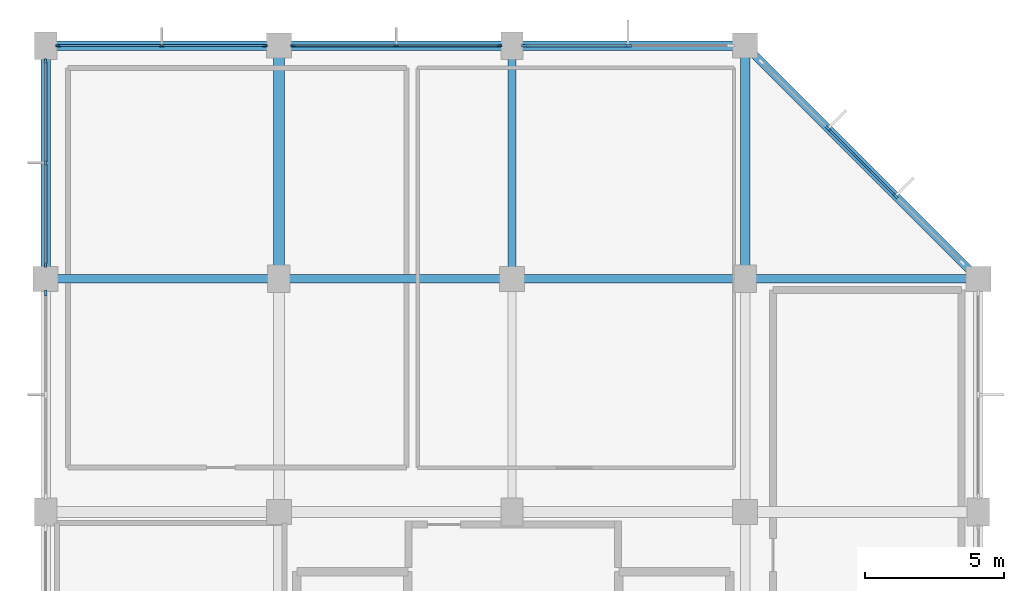
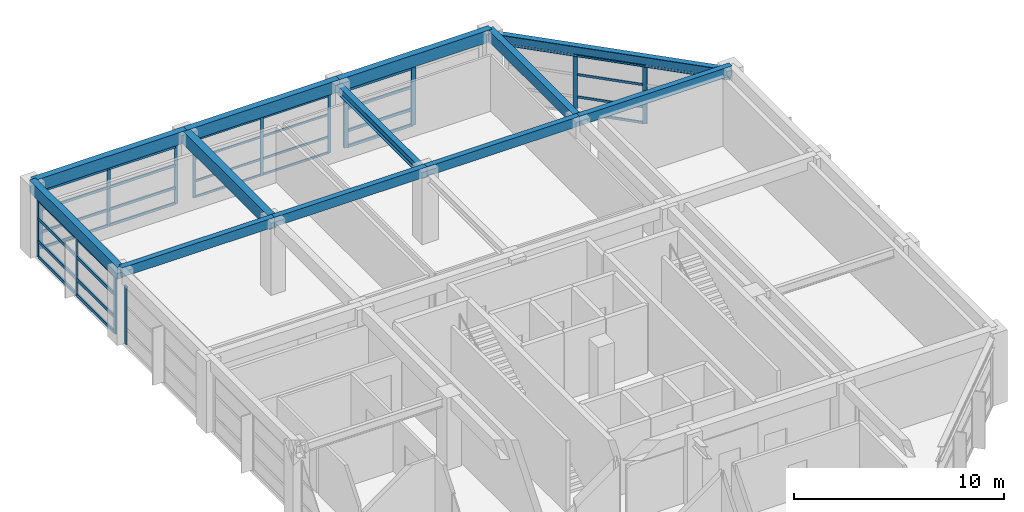
# One storey, part 6 of 12: 46 members, 12 beams, 6 elements without a shape of their own.
"""IFC4 building model written with IfcOpenShell, lengths in metres."""

from ifc_helpers import new_model, si_unit, direction, frame, origin, origin_2d, place, context, subcontext, project, spatial, rectangle, i_section, extrude, material, material_profile, profile_set, type_object, element, aggregate, save


model = new_model("IFC4")

# Units and contexts
model_context = context("Model", 3, precision=1e-05, world=origin(), true_north=direction((0.0, 1.0)))
body_context = subcontext(model_context, "Body", "Model", "MODEL_VIEW")
ifc_project = project(units=[si_unit("LENGTHUNIT", "METRE"), si_unit("AREAUNIT", "SQUARE_METRE"), si_unit("VOLUMEUNIT", "CUBIC_METRE"), si_unit("PLANEANGLEUNIT", "RADIAN"), si_unit("MASSUNIT", "GRAM", prefix="KILO")], contexts=[model_context])

# Site, building, storey
site_placement = place(None, origin())
site = spatial("IfcSite", under=ifc_project, at=site_placement, CompositionType="ELEMENT")
building_placement = place(site_placement, origin())
building = spatial("IfcBuilding", under=site, at=building_placement, Name="Xuanlan Plaza Opera House", CompositionType="ELEMENT")
storey_placement = place(building_placement, frame((0.0, 0.0, 61.5)))
storey = spatial("IfcBuildingStorey", under=building, at=storey_placement, Name="L14", CompositionType="ELEMENT", Elevation=61.5)

# Curtain wall, members
ifc_material_1 = material(Name="Anodised Aluminium 6063-T6 and Low-E Glass", Category="aluminium")
curtain_wall_type_1 = type_object("IfcCurtainWallType", Name="ENV-CW-CW-02", PredefinedType="USERDEFINED", material=ifc_material_1)
curtain_wall_1_placement = place(storey_placement, origin())
curtain_wall_1 = element("IfcCurtainWall", 1, at=curtain_wall_1_placement, inside=storey, type_object=curtain_wall_type_1, Name="Unitised Curtain Wall L14-010", ObjectType="UNITISED CURTAIN WALL", PredefinedType="USERDEFINED")
ifc_material_2 = material(Name="Anodised Aluminium 6063-T6", Category="aluminium")
ifc_material_profile_1 = material_profile(ifc_material_2, rectangle(XDim=0.06494140625, YDim=0.159912109375, at=origin_2d()), Name="ALU-M 65x160")
ifc_profile_set_1 = profile_set([ifc_material_profile_1], Name="Anodised Aluminium 6063-T6")
member_type_1 = type_object("IfcMemberType", Name="ENV-CWM-01", PredefinedType="MULLION", material=ifc_profile_set_1)
member_1_placement = place(storey_placement, frame((142.347412109375, 84.0, 0.0), z_axis=(0.0, 0.0, 1.0), x_axis=(0.0, -1.0, 0.0)))
member_1 = element("IfcMember", 2, at=member_1_placement, type_object=member_type_1, Name="CW-02 mullion 1", PredefinedType="MULLION", context=body_context, shape_type="SweptSolid", body=[
    extrude(rectangle(XDim=0.06494140625, YDim=0.159912109375, at=origin_2d()), origin(), (0.0, 0.0, 1.0), 3.3798828125),
])
member_2_placement = place(storey_placement, frame((138.625, 84.0, 0.0), z_axis=(0.0, 0.0, 1.0), x_axis=(0.0, -1.0, 0.0)))
member_2 = element("IfcMember", 3, at=member_2_placement, type_object=member_type_1, Name="CW-02 mullion 2", PredefinedType="MULLION", context=body_context, shape_type="SweptSolid", body=[
    extrude(rectangle(XDim=0.06494140625, YDim=0.159912109375, at=origin_2d()), origin(), (0.0, 0.0, 1.0), 3.3798828125),
])
member_3_placement = place(storey_placement, frame((134.902587890625, 84.0, 0.0), z_axis=(0.0, 0.0, 1.0), x_axis=(0.0, -1.0, 0.0)))
member_3 = element("IfcMember", 4, at=member_3_placement, type_object=member_type_1, Name="CW-02 mullion 3", PredefinedType="MULLION", context=body_context, shape_type="SweptSolid", body=[
    extrude(rectangle(XDim=0.06494140625, YDim=0.159912109375, at=origin_2d()), origin(), (0.0, 0.0, 1.0), 3.3798828125),
])

curtain_wall_type_2 = type_object("IfcCurtainWallType", Name="ENV-CW-CW-03", PredefinedType="USERDEFINED", material=ifc_material_1)
curtain_wall_2_placement = place(storey_placement, origin())
curtain_wall_2 = element("IfcCurtainWall", 5, at=curtain_wall_2_placement, inside=storey, type_object=curtain_wall_type_2, Name="Unitised Curtain Wall L14-011", ObjectType="UNITISED CURTAIN WALL", PredefinedType="USERDEFINED")
ifc_material_profile_2 = material_profile(ifc_material_2, rectangle(XDim=0.070068359375, YDim=0.179931640625, at=origin_2d()), Name="ALU-M 70x180")
ifc_profile_set_2 = profile_set([ifc_material_profile_2], Name="Anodised Aluminium 6063-T6")
member_type_2 = type_object("IfcMemberType", Name="ENV-CWM-02", PredefinedType="MULLION", material=ifc_profile_set_2)
member_4_placement = place(storey_placement, frame((133.89501953125, 84.0, 0.0), z_axis=(0.0, 0.0, 1.0), x_axis=(0.0, -1.0, 0.0)))
member_4 = element("IfcMember", 6, at=member_4_placement, type_object=member_type_2, Name="CW-03 mullion 1", PredefinedType="MULLION", context=body_context, shape_type="SweptSolid", body=[
    extrude(rectangle(XDim=0.070068359375, YDim=0.179931640625, at=origin_2d()), origin(), (0.0, 0.0, 1.0), 3.3798828125),
])
member_5_placement = place(storey_placement, frame((130.175048828125, 84.0, 0.0), z_axis=(0.0, 0.0, 1.0), x_axis=(0.0, -1.0, 0.0)))
member_5 = element("IfcMember", 7, at=member_5_placement, type_object=member_type_2, Name="CW-03 mullion 2", PredefinedType="MULLION", context=body_context, shape_type="SweptSolid", body=[
    extrude(rectangle(XDim=0.070068359375, YDim=0.179931640625, at=origin_2d()), origin(), (0.0, 0.0, 1.0), 3.3798828125),
])
member_6_placement = place(storey_placement, frame((126.455078125, 84.0, 0.0), z_axis=(0.0, 0.0, 1.0), x_axis=(0.0, -1.0, 0.0)))
member_6 = element("IfcMember", 8, at=member_6_placement, type_object=member_type_2, Name="CW-03 mullion 3", PredefinedType="MULLION", context=body_context, shape_type="SweptSolid", body=[
    extrude(rectangle(XDim=0.070068359375, YDim=0.179931640625, at=origin_2d()), origin(), (0.0, 0.0, 1.0), 3.3798828125),
])

curtain_wall_type_3 = type_object("IfcCurtainWallType", Name="ENV-CW-CW-04", PredefinedType="USERDEFINED", material=ifc_material_1)
curtain_wall_3_placement = place(storey_placement, origin())
curtain_wall_3 = element("IfcCurtainWall", 9, at=curtain_wall_3_placement, inside=storey, type_object=curtain_wall_type_3, Name="Unitised Curtain Wall L14-012", ObjectType="UNITISED CURTAIN WALL", PredefinedType="USERDEFINED")
ifc_material_profile_3 = material_profile(ifc_material_2, rectangle(XDim=0.074951171875, YDim=0.199951171875, at=origin_2d()), Name="ALU-M 75x200")
ifc_profile_set_3 = profile_set([ifc_material_profile_3], Name="Anodised Aluminium 6063-T6")
member_type_3 = type_object("IfcMemberType", Name="ENV-CWM-03", PredefinedType="MULLION", material=ifc_profile_set_3)
member_7_placement = place(storey_placement, frame((126.0, 83.4423828125, 0.0), z_axis=(0.0, 0.0, 1.0), x_axis=(1.0, 0.0, 0.0)))
member_7 = element("IfcMember", 10, at=member_7_placement, type_object=member_type_3, Name="CW-04 mullion 1", PredefinedType="MULLION", context=body_context, shape_type="SweptSolid", body=[
    extrude(rectangle(XDim=0.074951171875, YDim=0.199951171875, at=origin_2d()), origin(), (0.0, 0.0, 1.0), 3.3798828125),
])
member_8_placement = place(storey_placement, frame((126.0, 79.77490234375, 0.0), z_axis=(0.0, 0.0, 1.0), x_axis=(1.0, 0.0, 0.0)))
member_8 = element("IfcMember", 11, at=member_8_placement, type_object=member_type_3, Name="CW-04 mullion 2", PredefinedType="MULLION", context=body_context, shape_type="SweptSolid", body=[
    extrude(rectangle(XDim=0.074951171875, YDim=0.199951171875, at=origin_2d()), origin(), (0.0, 0.0, 1.0), 3.3798828125),
])
member_9_placement = place(storey_placement, frame((126.0, 76.107421875, 0.0), z_axis=(0.0, 0.0, 1.0), x_axis=(1.0, 0.0, 0.0)))
member_9 = element("IfcMember", 12, at=member_9_placement, type_object=member_type_3, Name="CW-04 mullion 3", PredefinedType="MULLION", context=body_context, shape_type="SweptSolid", body=[
    extrude(rectangle(XDim=0.074951171875, YDim=0.199951171875, at=origin_2d()), origin(), (0.0, 0.0, 1.0), 3.3798828125),
])

curtain_wall_4_placement = place(storey_placement, origin())
curtain_wall_4 = element("IfcCurtainWall", 13, at=curtain_wall_4_placement, inside=storey, type_object=curtain_wall_type_3, Name="Unitised Curtain Wall L14-008", ObjectType="UNITISED CURTAIN WALL", PredefinedType="USERDEFINED")
ifc_material_profile_4 = material_profile(ifc_material_2, rectangle(XDim=0.080078125, YDim=0.219970703125, at=origin_2d()), Name="ALU-M 80x220")
ifc_profile_set_4 = profile_set([ifc_material_profile_4], Name="Anodised Aluminium 6063-T6")
member_type_4 = type_object("IfcMemberType", Name="ENV-CWM-04", PredefinedType="MULLION", material=ifc_profile_set_4)
member_10_placement = place(storey_placement, frame((156.616943359375, 78.5830078125, 0.0), z_axis=(0.0, 0.0, 1.0), x_axis=(-0.707106781187, -0.707106781187, 0.0)))
member_10 = element("IfcMember", 14, at=member_10_placement, type_object=member_type_4, Name="CW-04 mullion 2", PredefinedType="MULLION", context=body_context, shape_type="SweptSolid", body=[
    extrude(rectangle(XDim=0.080078125, YDim=0.219970703125, at=origin_2d()), origin(), (0.0, 0.0, 1.0), 3.3798828125),
])
member_11_placement = place(storey_placement, frame((154.18310546875, 81.01708984375, 0.0), z_axis=(0.0, 0.0, 1.0), x_axis=(-0.707106781187, -0.707106781187, 0.0)))
member_11 = element("IfcMember", 15, at=member_11_placement, type_object=member_type_4, Name="CW-04 mullion 3", PredefinedType="MULLION", context=body_context, shape_type="SweptSolid", body=[
    extrude(rectangle(XDim=0.080078125, YDim=0.219970703125, at=origin_2d()), origin(), (0.0, 0.0, 1.0), 3.3798828125),
])

# Curtain wall, member
curtain_wall_type_4 = type_object("IfcCurtainWallType", Name="ENV-CW-CW-01", PredefinedType="USERDEFINED", material=ifc_material_1)
curtain_wall_5_placement = place(storey_placement, origin())
curtain_wall_5 = element("IfcCurtainWall", 16, at=curtain_wall_5_placement, inside=storey, type_object=curtain_wall_type_4, Name="Unitised Curtain Wall L14-013", ObjectType="UNITISED CURTAIN WALL", PredefinedType="USERDEFINED")
member_12_placement = place(storey_placement, frame((126.0, 75.090087890625, 0.0), z_axis=(0.0, 0.0, 1.0), x_axis=(1.0, 0.0, 0.0)))
member_12 = element("IfcMember", 17, at=member_12_placement, type_object=member_type_4, Name="CW-01 mullion 1", PredefinedType="MULLION", context=body_context, shape_type="SweptSolid", body=[
    extrude(rectangle(XDim=0.080078125, YDim=0.219970703125, at=origin_2d()), origin(), (0.0, 0.0, 1.0), 3.3798828125),
])
aggregate(curtain_wall_5, [member_12])

# Curtain wall, members
curtain_wall_6_placement = place(storey_placement, origin())
curtain_wall_6 = element("IfcCurtainWall", 18, at=curtain_wall_6_placement, inside=storey, type_object=curtain_wall_type_4, Name="Unitised Curtain Wall L14-009", ObjectType="UNITISED CURTAIN WALL", PredefinedType="USERDEFINED")
ifc_material_profile_5 = material_profile(ifc_material_2, rectangle(XDim=0.090087890625, YDim=0.25, at=origin_2d()), Name="ALU-M 90x250")
ifc_profile_set_5 = profile_set([ifc_material_profile_5], Name="Anodised Aluminium 6063-T6")
member_type_5 = type_object("IfcMemberType", Name="ENV-CWM-05", PredefinedType="MULLION", material=ifc_profile_set_5)
member_13_placement = place(storey_placement, frame((146.97509765625, 84.0, 0.0), z_axis=(0.0, 0.0, 1.0), x_axis=(0.0, -1.0, 0.0)))
member_13 = element("IfcMember", 19, at=member_13_placement, type_object=member_type_5, Name="CW-01 mullion 2", PredefinedType="MULLION", context=body_context, shape_type="SweptSolid", body=[
    extrude(rectangle(XDim=0.090087890625, YDim=0.25, at=origin_2d()), origin(), (0.0, 0.0, 1.0), 3.3798828125),
])
member_14_placement = place(storey_placement, frame((143.264892578125, 84.0, 0.0), z_axis=(0.0, 0.0, 1.0), x_axis=(0.0, -1.0, 0.0)))
member_14 = element("IfcMember", 20, at=member_14_placement, type_object=member_type_5, Name="CW-01 mullion 3", PredefinedType="MULLION", context=body_context, shape_type="SweptSolid", body=[
    extrude(rectangle(XDim=0.090087890625, YDim=0.25, at=origin_2d()), origin(), (0.0, 0.0, 1.0), 3.3798828125),
])

# Member
ifc_material_profile_6 = material_profile(ifc_material_2, rectangle(XDim=0.06494140625, YDim=0.1201171875, at=origin_2d()), Name="ALU-T 65x120")
ifc_profile_set_6 = profile_set([ifc_material_profile_6], Name="Anodised Aluminium 6063-T6")
member_type_6 = type_object("IfcMemberType", Name="ENV-CWT-01", PredefinedType="USERDEFINED", material=ifc_profile_set_6)
member_15_placement = place(storey_placement, frame((142.31494140625, 84.0, 0.032470703125), z_axis=(-1.0, 0.0, 0.0), x_axis=(0.0, -1.0, 0.0)))
member_15 = element("IfcMember", 21, at=member_15_placement, type_object=member_type_6, Name="CW-02 transom 1.1", ObjectType="TRANSOM", PredefinedType="USERDEFINED", context=body_context, shape_type="SweptSolid", body=[
    extrude(rectangle(XDim=0.06494140625, YDim=0.1201171875, at=origin_2d()), origin(), (0.0, 0.0, 1.0), 3.657470703125),
])

member_16_placement = place(storey_placement, frame((142.31494140625, 84.0, 0.949951171875), z_axis=(-1.0, 0.0, 0.0), x_axis=(0.0, -1.0, 0.0)))
member_16 = element("IfcMember", 22, at=member_16_placement, type_object=member_type_6, Name="CW-02 transom 1.2", ObjectType="TRANSOM", PredefinedType="USERDEFINED", context=body_context, shape_type="SweptSolid", body=[
    extrude(rectangle(XDim=0.06494140625, YDim=0.1201171875, at=origin_2d()), origin(), (0.0, 0.0, 1.0), 3.657470703125),
])

member_17_placement = place(storey_placement, frame((142.31494140625, 84.0, 2.25), z_axis=(-1.0, 0.0, 0.0), x_axis=(0.0, -1.0, 0.0)))
member_17 = element("IfcMember", 23, at=member_17_placement, type_object=member_type_6, Name="CW-02 transom 1.3", ObjectType="TRANSOM", PredefinedType="USERDEFINED", context=body_context, shape_type="SweptSolid", body=[
    extrude(rectangle(XDim=0.06494140625, YDim=0.1201171875, at=origin_2d()), origin(), (0.0, 0.0, 1.0), 3.657470703125),
])

member_18_placement = place(storey_placement, frame((142.31494140625, 84.0, 3.347412109375), z_axis=(-1.0, 0.0, 0.0), x_axis=(0.0, -1.0, 0.0)))
member_18 = element("IfcMember", 24, at=member_18_placement, type_object=member_type_6, Name="CW-02 transom 1.4", ObjectType="TRANSOM", PredefinedType="USERDEFINED", context=body_context, shape_type="SweptSolid", body=[
    extrude(rectangle(XDim=0.06494140625, YDim=0.1201171875, at=origin_2d()), origin(), (0.0, 0.0, 1.0), 3.657470703125),
])

member_19_placement = place(storey_placement, frame((138.592529296875, 84.0, 0.032470703125), z_axis=(-1.0, 0.0, 0.0), x_axis=(0.0, -1.0, 0.0)))
member_19 = element("IfcMember", 25, at=member_19_placement, type_object=member_type_6, Name="CW-02 transom 2.1", ObjectType="TRANSOM", PredefinedType="USERDEFINED", context=body_context, shape_type="SweptSolid", body=[
    extrude(rectangle(XDim=0.06494140625, YDim=0.1201171875, at=origin_2d()), origin(), (0.0, 0.0, 1.0), 3.657470703125),
])

member_20_placement = place(storey_placement, frame((138.592529296875, 84.0, 0.949951171875), z_axis=(-1.0, 0.0, 0.0), x_axis=(0.0, -1.0, 0.0)))
member_20 = element("IfcMember", 26, at=member_20_placement, type_object=member_type_6, Name="CW-02 transom 2.2", ObjectType="TRANSOM", PredefinedType="USERDEFINED", context=body_context, shape_type="SweptSolid", body=[
    extrude(rectangle(XDim=0.06494140625, YDim=0.1201171875, at=origin_2d()), origin(), (0.0, 0.0, 1.0), 3.657470703125),
])

member_21_placement = place(storey_placement, frame((138.592529296875, 84.0, 2.25), z_axis=(-1.0, 0.0, 0.0), x_axis=(0.0, -1.0, 0.0)))
member_21 = element("IfcMember", 27, at=member_21_placement, type_object=member_type_6, Name="CW-02 transom 2.3", ObjectType="TRANSOM", PredefinedType="USERDEFINED", context=body_context, shape_type="SweptSolid", body=[
    extrude(rectangle(XDim=0.06494140625, YDim=0.1201171875, at=origin_2d()), origin(), (0.0, 0.0, 1.0), 3.657470703125),
])

member_22_placement = place(storey_placement, frame((138.592529296875, 84.0, 3.347412109375), z_axis=(-1.0, 0.0, 0.0), x_axis=(0.0, -1.0, 0.0)))
member_22 = element("IfcMember", 28, at=member_22_placement, type_object=member_type_6, Name="CW-02 transom 2.4", ObjectType="TRANSOM", PredefinedType="USERDEFINED", context=body_context, shape_type="SweptSolid", body=[
    extrude(rectangle(XDim=0.06494140625, YDim=0.1201171875, at=origin_2d()), origin(), (0.0, 0.0, 1.0), 3.657470703125),
])

aggregate(curtain_wall_1, [member_1, member_2, member_3, member_15, member_16, member_17, member_18, member_19, member_20, member_21, member_22])

ifc_material_profile_7 = material_profile(ifc_material_2, rectangle(XDim=0.070068359375, YDim=0.135009765625, at=origin_2d()), Name="ALU-T 70x135")
ifc_profile_set_7 = profile_set([ifc_material_profile_7], Name="Anodised Aluminium 6063-T6")
member_type_7 = type_object("IfcMemberType", Name="ENV-CWT-02", PredefinedType="USERDEFINED", material=ifc_profile_set_7)
member_23_placement = place(storey_placement, frame((156.588623046875, 78.611328125, 0.034912109375), z_axis=(-0.707106781187, 0.707106781187, 0.0), x_axis=(-0.707106781187, -0.707106781187, 0.0)))
member_23 = element("IfcMember", 29, at=member_23_placement, type_object=member_type_7, Name="CW-04 transom 2.1", ObjectType="TRANSOM", PredefinedType="USERDEFINED", context=body_context, shape_type="SweptSolid", body=[
    extrude(rectangle(XDim=0.070068359375, YDim=0.135009765625, at=origin_2d()), origin(), (0.0, 0.0, 1.0), 3.3623046875),
])

member_24_placement = place(storey_placement, frame((156.588623046875, 78.611328125, 0.949951171875), z_axis=(-0.707106781187, 0.707106781187, 0.0), x_axis=(-0.707106781187, -0.707106781187, 0.0)))
member_24 = element("IfcMember", 30, at=member_24_placement, type_object=member_type_7, Name="CW-04 transom 2.2", ObjectType="TRANSOM", PredefinedType="USERDEFINED", context=body_context, shape_type="SweptSolid", body=[
    extrude(rectangle(XDim=0.070068359375, YDim=0.135009765625, at=origin_2d()), origin(), (0.0, 0.0, 1.0), 3.3623046875),
])

member_25_placement = place(storey_placement, frame((156.588623046875, 78.611328125, 2.25), z_axis=(-0.707106781187, 0.707106781187, 0.0), x_axis=(-0.707106781187, -0.707106781187, 0.0)))
member_25 = element("IfcMember", 31, at=member_25_placement, type_object=member_type_7, Name="CW-04 transom 2.3", ObjectType="TRANSOM", PredefinedType="USERDEFINED", context=body_context, shape_type="SweptSolid", body=[
    extrude(rectangle(XDim=0.070068359375, YDim=0.135009765625, at=origin_2d()), origin(), (0.0, 0.0, 1.0), 3.3623046875),
])

member_26_placement = place(storey_placement, frame((156.588623046875, 78.611328125, 3.344970703125), z_axis=(-0.707106781187, 0.707106781187, 0.0), x_axis=(-0.707106781187, -0.707106781187, 0.0)))
member_26 = element("IfcMember", 32, at=member_26_placement, type_object=member_type_7, Name="CW-04 transom 2.4", ObjectType="TRANSOM", PredefinedType="USERDEFINED", context=body_context, shape_type="SweptSolid", body=[
    extrude(rectangle(XDim=0.070068359375, YDim=0.135009765625, at=origin_2d()), origin(), (0.0, 0.0, 1.0), 3.3623046875),
])

aggregate(curtain_wall_4, [member_10, member_11, member_23, member_24, member_25, member_26])

ifc_material_profile_8 = material_profile(ifc_material_2, rectangle(XDim=0.074951171875, YDim=0.14990234375, at=origin_2d()), Name="ALU-T 75x150")
ifc_profile_set_8 = profile_set([ifc_material_profile_8], Name="Anodised Aluminium 6063-T6")
member_type_8 = type_object("IfcMemberType", Name="ENV-CWT-03", PredefinedType="USERDEFINED", material=ifc_profile_set_8)
member_27_placement = place(storey_placement, frame((133.860107421875, 84.0, 0.03759765625), z_axis=(-1.0, 0.0, 0.0), x_axis=(0.0, -1.0, 0.0)))
member_27 = element("IfcMember", 33, at=member_27_placement, type_object=member_type_8, Name="CW-03 transom 1.1", ObjectType="TRANSOM", PredefinedType="USERDEFINED", context=body_context, shape_type="SweptSolid", body=[
    extrude(rectangle(XDim=0.074951171875, YDim=0.14990234375, at=origin_2d()), origin(), (0.0, 0.0, 1.0), 3.650146484375),
])

member_28_placement = place(storey_placement, frame((133.860107421875, 84.0, 0.949951171875), z_axis=(-1.0, 0.0, 0.0), x_axis=(0.0, -1.0, 0.0)))
member_28 = element("IfcMember", 34, at=member_28_placement, type_object=member_type_8, Name="CW-03 transom 1.2", ObjectType="TRANSOM", PredefinedType="USERDEFINED", context=body_context, shape_type="SweptSolid", body=[
    extrude(rectangle(XDim=0.074951171875, YDim=0.14990234375, at=origin_2d()), origin(), (0.0, 0.0, 1.0), 3.650146484375),
])

member_29_placement = place(storey_placement, frame((133.860107421875, 84.0, 2.25), z_axis=(-1.0, 0.0, 0.0), x_axis=(0.0, -1.0, 0.0)))
member_29 = element("IfcMember", 35, at=member_29_placement, type_object=member_type_8, Name="CW-03 transom 1.3", ObjectType="TRANSOM", PredefinedType="USERDEFINED", context=body_context, shape_type="SweptSolid", body=[
    extrude(rectangle(XDim=0.074951171875, YDim=0.14990234375, at=origin_2d()), origin(), (0.0, 0.0, 1.0), 3.650146484375),
])

member_30_placement = place(storey_placement, frame((133.860107421875, 84.0, 3.342529296875), z_axis=(-1.0, 0.0, 0.0), x_axis=(0.0, -1.0, 0.0)))
member_30 = element("IfcMember", 36, at=member_30_placement, type_object=member_type_8, Name="CW-03 transom 1.4", ObjectType="TRANSOM", PredefinedType="USERDEFINED", context=body_context, shape_type="SweptSolid", body=[
    extrude(rectangle(XDim=0.074951171875, YDim=0.14990234375, at=origin_2d()), origin(), (0.0, 0.0, 1.0), 3.650146484375),
])

member_31_placement = place(storey_placement, frame((130.139892578125, 84.0, 0.03759765625), z_axis=(-1.0, 0.0, 0.0), x_axis=(0.0, -1.0, 0.0)))
member_31 = element("IfcMember", 37, at=member_31_placement, type_object=member_type_8, Name="CW-03 transom 2.1", ObjectType="TRANSOM", PredefinedType="USERDEFINED", context=body_context, shape_type="SweptSolid", body=[
    extrude(rectangle(XDim=0.074951171875, YDim=0.14990234375, at=origin_2d()), origin(), (0.0, 0.0, 1.0), 3.64990234375),
])

member_32_placement = place(storey_placement, frame((130.139892578125, 84.0, 0.949951171875), z_axis=(-1.0, 0.0, 0.0), x_axis=(0.0, -1.0, 0.0)))
member_32 = element("IfcMember", 38, at=member_32_placement, type_object=member_type_8, Name="CW-03 transom 2.2", ObjectType="TRANSOM", PredefinedType="USERDEFINED", context=body_context, shape_type="SweptSolid", body=[
    extrude(rectangle(XDim=0.074951171875, YDim=0.14990234375, at=origin_2d()), origin(), (0.0, 0.0, 1.0), 3.64990234375),
])

member_33_placement = place(storey_placement, frame((130.139892578125, 84.0, 2.25), z_axis=(-1.0, 0.0, 0.0), x_axis=(0.0, -1.0, 0.0)))
member_33 = element("IfcMember", 39, at=member_33_placement, type_object=member_type_8, Name="CW-03 transom 2.3", ObjectType="TRANSOM", PredefinedType="USERDEFINED", context=body_context, shape_type="SweptSolid", body=[
    extrude(rectangle(XDim=0.074951171875, YDim=0.14990234375, at=origin_2d()), origin(), (0.0, 0.0, 1.0), 3.64990234375),
])

member_34_placement = place(storey_placement, frame((130.139892578125, 84.0, 3.342529296875), z_axis=(-1.0, 0.0, 0.0), x_axis=(0.0, -1.0, 0.0)))
member_34 = element("IfcMember", 40, at=member_34_placement, type_object=member_type_8, Name="CW-03 transom 2.4", ObjectType="TRANSOM", PredefinedType="USERDEFINED", context=body_context, shape_type="SweptSolid", body=[
    extrude(rectangle(XDim=0.074951171875, YDim=0.14990234375, at=origin_2d()), origin(), (0.0, 0.0, 1.0), 3.64990234375),
])

aggregate(curtain_wall_2, [member_4, member_5, member_6, member_27, member_28, member_29, member_30, member_31, member_32, member_33, member_34])

ifc_material_profile_9 = material_profile(ifc_material_2, rectangle(XDim=0.080078125, YDim=0.1650390625, at=origin_2d()), Name="ALU-T 80x165")
ifc_profile_set_9 = profile_set([ifc_material_profile_9], Name="Anodised Aluminium 6063-T6")
member_type_9 = type_object("IfcMemberType", Name="ENV-CWT-04", PredefinedType="USERDEFINED", material=ifc_profile_set_9)
member_35_placement = place(storey_placement, frame((146.929931640625, 84.0, 0.0400390625), z_axis=(-1.0, 0.0, 0.0), x_axis=(0.0, -1.0, 0.0)))
member_35 = element("IfcMember", 41, at=member_35_placement, type_object=member_type_9, Name="CW-01 transom 2.1", ObjectType="TRANSOM", PredefinedType="USERDEFINED", context=body_context, shape_type="SweptSolid", body=[
    extrude(rectangle(XDim=0.080078125, YDim=0.1650390625, at=origin_2d()), origin(), (0.0, 0.0, 1.0), 3.619873046875),
])

member_36_placement = place(storey_placement, frame((146.929931640625, 84.0, 0.949951171875), z_axis=(-1.0, 0.0, 0.0), x_axis=(0.0, -1.0, 0.0)))
member_36 = element("IfcMember", 42, at=member_36_placement, type_object=member_type_9, Name="CW-01 transom 2.2", ObjectType="TRANSOM", PredefinedType="USERDEFINED", context=body_context, shape_type="SweptSolid", body=[
    extrude(rectangle(XDim=0.080078125, YDim=0.1650390625, at=origin_2d()), origin(), (0.0, 0.0, 1.0), 3.619873046875),
])

member_37_placement = place(storey_placement, frame((146.929931640625, 84.0, 2.25), z_axis=(-1.0, 0.0, 0.0), x_axis=(0.0, -1.0, 0.0)))
member_37 = element("IfcMember", 43, at=member_37_placement, type_object=member_type_9, Name="CW-01 transom 2.3", ObjectType="TRANSOM", PredefinedType="USERDEFINED", context=body_context, shape_type="SweptSolid", body=[
    extrude(rectangle(XDim=0.080078125, YDim=0.1650390625, at=origin_2d()), origin(), (0.0, 0.0, 1.0), 3.619873046875),
])

member_38_placement = place(storey_placement, frame((146.929931640625, 84.0, 3.340087890625), z_axis=(-1.0, 0.0, 0.0), x_axis=(0.0, -1.0, 0.0)))
member_38 = element("IfcMember", 44, at=member_38_placement, type_object=member_type_9, Name="CW-01 transom 2.4", ObjectType="TRANSOM", PredefinedType="USERDEFINED", context=body_context, shape_type="SweptSolid", body=[
    extrude(rectangle(XDim=0.080078125, YDim=0.1650390625, at=origin_2d()), origin(), (0.0, 0.0, 1.0), 3.619873046875),
])

aggregate(curtain_wall_6, [member_13, member_14, member_35, member_36, member_37, member_38])

ifc_material_profile_10 = material_profile(ifc_material_2, rectangle(XDim=0.090087890625, YDim=0.179931640625, at=origin_2d()), Name="ALU-T 90x180")
ifc_profile_set_10 = profile_set([ifc_material_profile_10], Name="Anodised Aluminium 6063-T6")
member_type_10 = type_object("IfcMemberType", Name="ENV-CWT-05", PredefinedType="USERDEFINED", material=ifc_profile_set_10)
member_39_placement = place(storey_placement, frame((126.0, 83.405029296875, 0.044921875), z_axis=(0.0, -1.0, 0.0), x_axis=(1.0, 0.0, 0.0)))
member_39 = element("IfcMember", 45, at=member_39_placement, type_object=member_type_10, Name="CW-04 transom 1.1", ObjectType="TRANSOM", PredefinedType="USERDEFINED", context=body_context, shape_type="SweptSolid", body=[
    extrude(rectangle(XDim=0.090087890625, YDim=0.179931640625, at=origin_2d()), origin(), (0.0, 0.0, 1.0), 3.592529296875),
])

member_40_placement = place(storey_placement, frame((126.0, 83.405029296875, 0.949951171875), z_axis=(0.0, -1.0, 0.0), x_axis=(1.0, 0.0, 0.0)))
member_40 = element("IfcMember", 46, at=member_40_placement, type_object=member_type_10, Name="CW-04 transom 1.2", ObjectType="TRANSOM", PredefinedType="USERDEFINED", context=body_context, shape_type="SweptSolid", body=[
    extrude(rectangle(XDim=0.090087890625, YDim=0.179931640625, at=origin_2d()), origin(), (0.0, 0.0, 1.0), 3.592529296875),
])

member_41_placement = place(storey_placement, frame((126.0, 83.405029296875, 2.25), z_axis=(0.0, -1.0, 0.0), x_axis=(1.0, 0.0, 0.0)))
member_41 = element("IfcMember", 47, at=member_41_placement, type_object=member_type_10, Name="CW-04 transom 1.3", ObjectType="TRANSOM", PredefinedType="USERDEFINED", context=body_context, shape_type="SweptSolid", body=[
    extrude(rectangle(XDim=0.090087890625, YDim=0.179931640625, at=origin_2d()), origin(), (0.0, 0.0, 1.0), 3.592529296875),
])

member_42_placement = place(storey_placement, frame((126.0, 83.405029296875, 3.3349609375), z_axis=(0.0, -1.0, 0.0), x_axis=(1.0, 0.0, 0.0)))
member_42 = element("IfcMember", 48, at=member_42_placement, type_object=member_type_10, Name="CW-04 transom 1.4", ObjectType="TRANSOM", PredefinedType="USERDEFINED", context=body_context, shape_type="SweptSolid", body=[
    extrude(rectangle(XDim=0.090087890625, YDim=0.179931640625, at=origin_2d()), origin(), (0.0, 0.0, 1.0), 3.592529296875),
])

member_43_placement = place(storey_placement, frame((126.0, 79.737548828125, 0.044921875), z_axis=(0.0, -1.0, 0.0), x_axis=(1.0, 0.0, 0.0)))
member_43 = element("IfcMember", 49, at=member_43_placement, type_object=member_type_10, Name="CW-04 transom 2.1", ObjectType="TRANSOM", PredefinedType="USERDEFINED", context=body_context, shape_type="SweptSolid", body=[
    extrude(rectangle(XDim=0.090087890625, YDim=0.179931640625, at=origin_2d()), origin(), (0.0, 0.0, 1.0), 3.592529296875),
])

member_44_placement = place(storey_placement, frame((126.0, 79.737548828125, 0.949951171875), z_axis=(0.0, -1.0, 0.0), x_axis=(1.0, 0.0, 0.0)))
member_44 = element("IfcMember", 50, at=member_44_placement, type_object=member_type_10, Name="CW-04 transom 2.2", ObjectType="TRANSOM", PredefinedType="USERDEFINED", context=body_context, shape_type="SweptSolid", body=[
    extrude(rectangle(XDim=0.090087890625, YDim=0.179931640625, at=origin_2d()), origin(), (0.0, 0.0, 1.0), 3.592529296875),
])

member_45_placement = place(storey_placement, frame((126.0, 79.737548828125, 2.25), z_axis=(0.0, -1.0, 0.0), x_axis=(1.0, 0.0, 0.0)))
member_45 = element("IfcMember", 51, at=member_45_placement, type_object=member_type_10, Name="CW-04 transom 2.3", ObjectType="TRANSOM", PredefinedType="USERDEFINED", context=body_context, shape_type="SweptSolid", body=[
    extrude(rectangle(XDim=0.090087890625, YDim=0.179931640625, at=origin_2d()), origin(), (0.0, 0.0, 1.0), 3.592529296875),
])

member_46_placement = place(storey_placement, frame((126.0, 79.737548828125, 3.3349609375), z_axis=(0.0, -1.0, 0.0), x_axis=(1.0, 0.0, 0.0)))
member_46 = element("IfcMember", 52, at=member_46_placement, type_object=member_type_10, Name="CW-04 transom 2.4", ObjectType="TRANSOM", PredefinedType="USERDEFINED", context=body_context, shape_type="SweptSolid", body=[
    extrude(rectangle(XDim=0.090087890625, YDim=0.179931640625, at=origin_2d()), origin(), (0.0, 0.0, 1.0), 3.592529296875),
])

aggregate(curtain_wall_3, [member_7, member_8, member_9, member_39, member_40, member_41, member_42, member_43, member_44, member_45, member_46])

# Beams
ifc_material_3 = material(Name="Concrete C40", Category="concrete")
ifc_material_profile_11 = material_profile(ifc_material_3, rectangle(XDim=0.39990234375, YDim=0.75, at=origin_2d()), Name="RC-BM 400x750")
ifc_profile_set_11 = profile_set([ifc_material_profile_11], Name="Concrete C40")
beam_type_1 = type_object("IfcBeamType", Name="STR-BM-B-06", PredefinedType="BEAM", material=ifc_profile_set_11)
beam_1_placement = place(storey_placement, frame((134.39990234375, 75.60009765625, 3.824951171875), z_axis=(0.0, 1.0, 0.0), x_axis=(-1.0, 0.0, 0.0)))
element("IfcBeam", 53, at=beam_1_placement, inside=storey, type_object=beam_type_1, Name="Grid Beam Y L14 17/J-K", PredefinedType="BEAM", context=body_context, shape_type="SweptSolid", body=[
    extrude(rectangle(XDim=0.39990234375, YDim=0.75, at=origin_2d()), origin(), (0.0, 0.0, 1.0), 8.39990234375),
])
ifc_material_profile_12 = material_profile(ifc_material_3, rectangle(XDim=0.35009765625, YDim=0.64990234375, at=origin_2d()), Name="RC-BM 350x650")
ifc_profile_set_12 = profile_set([ifc_material_profile_12], Name="Concrete C40")
beam_type_2 = type_object("IfcBeamType", Name="STR-BM-B-08", PredefinedType="BEAM", material=ifc_profile_set_12)
beam_2_placement = place(storey_placement, frame((151.199951171875, 75.60009765625, 3.875), z_axis=(0.0, 1.0, 0.0), x_axis=(-1.0, 0.0, 0.0)))
element("IfcBeam", 54, at=beam_2_placement, inside=storey, type_object=beam_type_2, Name="Grid Beam Y L14 19/J-K", PredefinedType="BEAM", context=body_context, shape_type="SweptSolid", body=[
    extrude(rectangle(XDim=0.35009765625, YDim=0.64990234375, at=origin_2d()), origin(), (0.0, 0.0, 1.0), 8.39990234375),
])
ifc_material_profile_13 = material_profile(ifc_material_3, rectangle(XDim=0.300048828125, YDim=0.550048828125, at=origin_2d()), Name="RC-BM 300x550")
ifc_profile_set_13 = profile_set([ifc_material_profile_13], Name="Concrete C40")
beam_type_3 = type_object("IfcBeamType", Name="STR-BM-B-09", PredefinedType="BEAM", material=ifc_profile_set_13)
beam_3_placement = place(storey_placement, frame((126.0, 75.60009765625, 3.925048828125), z_axis=(1.0, 0.0, 0.0), x_axis=(0.0, 1.0, 0.0)))
element("IfcBeam", 55, at=beam_3_placement, inside=storey, type_object=beam_type_3, Name="Grid Beam X L14 16-17/J", PredefinedType="BEAM", context=body_context, shape_type="SweptSolid", body=[
    extrude(rectangle(XDim=0.300048828125, YDim=0.550048828125, at=origin_2d()), origin(), (0.0, 0.0, 1.0), 8.39990234375),
])
beam_4_placement = place(storey_placement, frame((134.39990234375, 75.60009765625, 3.925048828125), z_axis=(1.0, 0.0, 0.0), x_axis=(0.0, 1.0, 0.0)))
element("IfcBeam", 56, at=beam_4_placement, inside=storey, type_object=beam_type_3, Name="Grid Beam X L14 17-18/J", PredefinedType="BEAM", context=body_context, shape_type="SweptSolid", body=[
    extrude(rectangle(XDim=0.300048828125, YDim=0.550048828125, at=origin_2d()), origin(), (0.0, 0.0, 1.0), 8.400146484375),
])
beam_5_placement = place(storey_placement, frame((142.800048828125, 75.60009765625, 3.925048828125), z_axis=(1.0, 0.0, 0.0), x_axis=(0.0, 1.0, 0.0)))
element("IfcBeam", 57, at=beam_5_placement, inside=storey, type_object=beam_type_3, Name="Grid Beam X L14 18-19/J", PredefinedType="BEAM", context=body_context, shape_type="SweptSolid", body=[
    extrude(rectangle(XDim=0.300048828125, YDim=0.550048828125, at=origin_2d()), origin(), (0.0, 0.0, 1.0), 8.39990234375),
])
beam_6_placement = place(storey_placement, frame((151.199951171875, 75.60009765625, 3.925048828125), z_axis=(1.0, 0.0, 0.0), x_axis=(0.0, 1.0, 0.0)))
element("IfcBeam", 58, at=beam_6_placement, inside=storey, type_object=beam_type_3, Name="Grid Beam X L14 19-20/J", PredefinedType="BEAM", context=body_context, shape_type="SweptSolid", body=[
    extrude(rectangle(XDim=0.300048828125, YDim=0.550048828125, at=origin_2d()), origin(), (0.0, 0.0, 1.0), 8.400146484375),
])
ifc_material_4 = material(Name="Steel Q355B", Category="steel")
ifc_material_profile_14 = material_profile(ifc_material_4, i_section(OverallWidth=0.300048828125, OverallDepth=0.488037109375, WebThickness=0.010986328125, FlangeThickness=0.01806640625, FilletRadius=0.02197265625, at=origin_2d()), Name="HM 488x300x11x18")
ifc_profile_set_14 = profile_set([ifc_material_profile_14], Name="Steel Q355B")
beam_type_4 = type_object("IfcBeamType", Name="STR-BM-SB-07", PredefinedType="BEAM", material=ifc_profile_set_14)
beam_7_placement = place(storey_placement, frame((142.800048828125, 75.60009765625, 3.7109375), z_axis=(0.0, 1.0, 0.0), x_axis=(-1.0, 0.0, 0.0)))
element("IfcBeam", 59, at=beam_7_placement, inside=storey, type_object=beam_type_4, Name="Grid Beam Y L14 18/J-K", PredefinedType="BEAM", context=body_context, shape_type="SweptSolid", body=[
    extrude(i_section(OverallWidth=0.300048828125, OverallDepth=0.488037109375, WebThickness=0.010986328125, FlangeThickness=0.01806640625, FilletRadius=0.02197265625, at=origin_2d()), origin(), (0.0, 0.0, 1.0), 8.39990234375),
])
ifc_material_profile_15 = material_profile(ifc_material_3, rectangle(XDim=0.35009765625, YDim=0.699951171875, at=origin_2d()), Name="RC-SPD 350x700")
ifc_profile_set_15 = profile_set([ifc_material_profile_15], Name="Concrete C40")
beam_type_5 = type_object("IfcBeamType", Name="STR-BM-SP-02", PredefinedType="SPANDREL", material=ifc_profile_set_15)
beam_8_placement = place(storey_placement, frame((126.0, 84.0, 3.85009765625), z_axis=(1.0, 0.0, 0.0), x_axis=(0.0, 1.0, 0.0)))
element("IfcBeam", 60, at=beam_8_placement, inside=storey, type_object=beam_type_5, Name="Grid Beam X L14 16-17/K", PredefinedType="SPANDREL", context=body_context, shape_type="SweptSolid", body=[
    extrude(rectangle(XDim=0.35009765625, YDim=0.699951171875, at=origin_2d()), origin(), (0.0, 0.0, 1.0), 8.39990234375),
])
beam_9_placement = place(storey_placement, frame((134.39990234375, 84.0, 3.85009765625), z_axis=(1.0, 0.0, 0.0), x_axis=(0.0, 1.0, 0.0)))
element("IfcBeam", 61, at=beam_9_placement, inside=storey, type_object=beam_type_5, Name="Grid Beam X L14 17-18/K", PredefinedType="SPANDREL", context=body_context, shape_type="SweptSolid", body=[
    extrude(rectangle(XDim=0.35009765625, YDim=0.699951171875, at=origin_2d()), origin(), (0.0, 0.0, 1.0), 8.400146484375),
])
for number, where, z_axis, x_axis, name in (
    (62, (142.800048828125, 84.0, 3.85009765625), (1.0, 0.0, 0.0), (0.0, 1.0, 0.0), "Grid Beam X L14 18-19/K"),
    (63, (126.0, 75.60009765625, 3.85009765625), (0.0, 1.0, 0.0), (-1.0, 0.0, 0.0), "Grid Beam Y L14 16/J-K"),
):
    element("IfcBeam", number, at=place(storey_placement, frame(where, z_axis=z_axis, x_axis=x_axis)), inside=storey, type_object=beam_type_5, Name=name, PredefinedType="SPANDREL", context=body_context, shape_type="SweptSolid", body=[
        extrude(rectangle(XDim=0.35009765625, YDim=0.699951171875, at=origin_2d()), origin(), (0.0, 0.0, 1.0), 8.39990234375),
    ])
ifc_material_profile_16 = material_profile(ifc_material_4, i_section(OverallWidth=0.300048828125, OverallDepth=0.587890625, WebThickness=0.011962890625, FlangeThickness=0.02001953125, FilletRadius=0.02392578125, at=origin_2d()), Name="HM 588x300x12x20")
ifc_profile_set_16 = profile_set([ifc_material_profile_16], Name="Steel Q355B")
beam_type_6 = type_object("IfcBeamType", Name="STR-BM-SP-03", PredefinedType="SPANDREL", material=ifc_profile_set_16)
beam_10_placement = place(storey_placement, frame((159.60009765625, 75.60009765625, 3.660888671875), z_axis=(-0.707117056885, 0.707096505339, 0.0), x_axis=(-0.707096505339, -0.707117056885, 0.0)))
element("IfcBeam", 64, at=beam_10_placement, inside=storey, type_object=beam_type_6, Name="Faceted Edge Spandrel L14 CH03", PredefinedType="SPANDREL", context=body_context, shape_type="SweptSolid", body=[
    extrude(i_section(OverallWidth=0.300048828125, OverallDepth=0.587890625, WebThickness=0.011962890625, FlangeThickness=0.02001953125, FilletRadius=0.02392578125, at=origin_2d()), origin(), (0.0, 0.0, 1.0), 11.87939453125),
])

save(model, "model.ifc")
